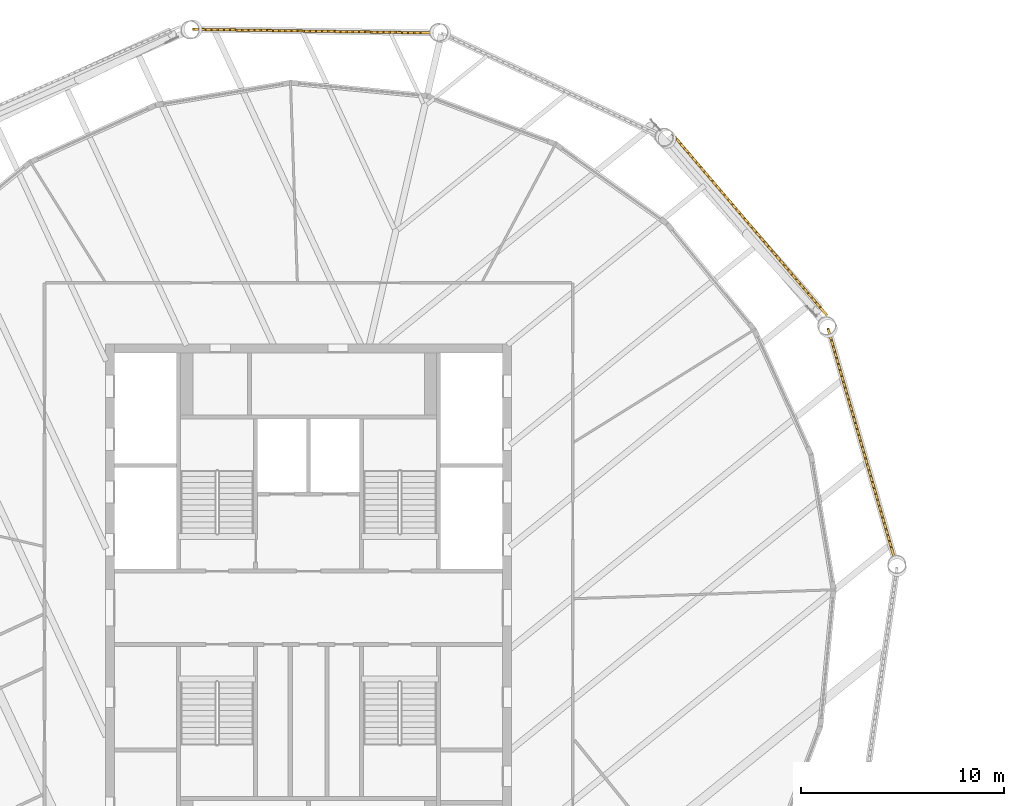
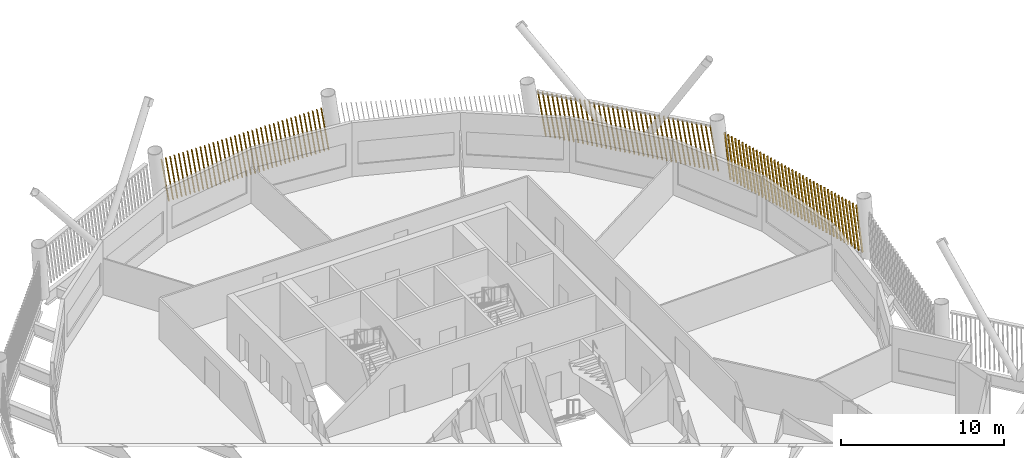
# One storey, part 35 of 36: 3 shading devices.
"""IFC4 building model written with IfcOpenShell, lengths in metres."""

from ifc_helpers import new_model, si_unit, direction, frame, frame_2d, origin, place, context, subcontext, project, spatial, rectangle, composite_profile, extrude, material, type_object, element, save


model = new_model("IFC4")

# Units and contexts
model_context = context("Model", 3, precision=1e-05, world=origin(), true_north=direction((0.0, 1.0)))
body_context = subcontext(model_context, "Body", "Model", "MODEL_VIEW")
ifc_project = project(units=[si_unit("LENGTHUNIT", "METRE"), si_unit("AREAUNIT", "SQUARE_METRE"), si_unit("VOLUMEUNIT", "CUBIC_METRE"), si_unit("PLANEANGLEUNIT", "RADIAN"), si_unit("MASSUNIT", "GRAM", prefix="KILO")], contexts=[model_context])

# Site, building, storey
site_placement = place(None, origin())
site = spatial("IfcSite", under=ifc_project, at=site_placement, CompositionType="ELEMENT")
building_placement = place(site_placement, origin())
building = spatial("IfcBuilding", under=site, at=building_placement, Name="Tarsis Ring Headquarters", CompositionType="ELEMENT")
storey_placement = place(building_placement, frame((0.0, 0.0, 386.0)))
storey = spatial("IfcBuildingStorey", under=building, at=storey_placement, Name="L91", CompositionType="ELEMENT", Elevation=386.0)

# Shading devices
ifc_material = material(Name="Terracotta baguette", Category="masonry")
shading_device_type = type_object("IfcShadingDeviceType", Name="Terracotta baguette screen", PredefinedType="USERDEFINED", material=ifc_material)
shading_device_1_placement = place(storey_placement, frame((28.841552734375, 2.47265625, 0.0), z_axis=(0.0, 0.0, 1.0), x_axis=(-0.277395550733, 0.960759631036, 0.0)))
element("IfcShadingDevice", 1, at=shading_device_1_placement, inside=storey, type_object=shading_device_type, Name="Baguette screen L91-06", ObjectType="Terracotta baguette screen", PredefinedType="USERDEFINED", context=body_context, shape_type="SweptSolid", body=[
    extrude(composite_profile([rectangle(XDim=0.06005859375, YDim=0.1201171875, at=frame_2d((0.030029296875, 0.0))), rectangle(XDim=0.06005859375, YDim=0.1201171875, at=frame_2d((0.33251953125, 0.0))), rectangle(XDim=0.06005859375, YDim=0.1201171875, at=frame_2d((0.634765625, 0.0))), rectangle(XDim=0.06005859375, YDim=0.1201171875, at=frame_2d((0.937255859375, 0.0))), rectangle(XDim=0.06005859375, YDim=0.1201171875, at=frame_2d((1.239501953125, 0.0))), rectangle(XDim=0.06005859375, YDim=0.1201171875, at=frame_2d((1.5419921875, 0.0))), rectangle(XDim=0.06005859375, YDim=0.1201171875, at=frame_2d((1.844482421875, 0.0))), rectangle(XDim=0.06005859375, YDim=0.1201171875, at=frame_2d((2.146728515625, 0.0))), rectangle(XDim=0.06005859375, YDim=0.1201171875, at=frame_2d((2.44921875, 0.0))), rectangle(XDim=0.06005859375, YDim=0.1201171875, at=frame_2d((2.751708984375, 0.0))), rectangle(XDim=0.06005859375, YDim=0.1201171875, at=frame_2d((3.053955078125, 0.0))), rectangle(XDim=0.06005859375, YDim=0.1201171875, at=frame_2d((3.3564453125, 0.0))), rectangle(XDim=0.06005859375, YDim=0.1201171875, at=frame_2d((3.65869140625, 0.0))), rectangle(XDim=0.06005859375, YDim=0.1201171875, at=frame_2d((3.961181640625, 0.0))), rectangle(XDim=0.06005859375, YDim=0.1201171875, at=frame_2d((4.263671875, 0.0))), rectangle(XDim=0.06005859375, YDim=0.1201171875, at=frame_2d((4.56591796875, 0.0))), rectangle(XDim=0.06005859375, YDim=0.1201171875, at=frame_2d((4.868408203125, 0.0))), rectangle(XDim=0.06005859375, YDim=0.1201171875, at=frame_2d((5.1708984375, 0.0))), rectangle(XDim=0.06005859375, YDim=0.1201171875, at=frame_2d((5.47314453125, 0.0))), rectangle(XDim=0.06005859375, YDim=0.1201171875, at=frame_2d((5.775634765625, 0.0))), rectangle(XDim=0.06005859375, YDim=0.1201171875, at=frame_2d((6.077880859375, 0.0))), rectangle(XDim=0.06005859375, YDim=0.1201171875, at=frame_2d((6.38037109375, 0.0))), rectangle(XDim=0.06005859375, YDim=0.1201171875, at=frame_2d((6.682861328125, 0.0))), rectangle(XDim=0.06005859375, YDim=0.1201171875, at=frame_2d((6.985107421875, 0.0))), rectangle(XDim=0.06005859375, YDim=0.1201171875, at=frame_2d((7.28759765625, 0.0))), rectangle(XDim=0.06005859375, YDim=0.1201171875, at=frame_2d((7.590087890625, 0.0))), rectangle(XDim=0.06005859375, YDim=0.1201171875, at=frame_2d((7.892333984375, 0.0))), rectangle(XDim=0.06005859375, YDim=0.1201171875, at=frame_2d((8.19482421875, 0.0))), rectangle(XDim=0.06005859375, YDim=0.1201171875, at=frame_2d((8.4970703125, 0.0))), rectangle(XDim=0.06005859375, YDim=0.1201171875, at=frame_2d((8.799560546875, 0.0))), rectangle(XDim=0.06005859375, YDim=0.1201171875, at=frame_2d((9.10205078125, 0.0))), rectangle(XDim=0.06005859375, YDim=0.1201171875, at=frame_2d((9.404296875, 0.0))), rectangle(XDim=0.06005859375, YDim=0.1201171875, at=frame_2d((9.706787109375, 0.0))), rectangle(XDim=0.06005859375, YDim=0.1201171875, at=frame_2d((10.00927734375, 0.0))), rectangle(XDim=0.06005859375, YDim=0.1201171875, at=frame_2d((10.3115234375, 0.0))), rectangle(XDim=0.06005859375, YDim=0.1201171875, at=frame_2d((10.614013671875, 0.0))), rectangle(XDim=0.06005859375, YDim=0.1201171875, at=frame_2d((10.916259765625, 0.0))), rectangle(XDim=0.06005859375, YDim=0.1201171875, at=frame_2d((11.21875, 0.0)))]), origin(), (0.155203291541, 0.001405879506, 0.987881552514), 3.32080078125),
])
shading_device_2_placement = place(storey_placement, frame((25.54345703125, 14.38427734375, 0.0), z_axis=(0.0, 0.0, 1.0), x_axis=(-0.648724905046, 0.761020075963, 0.0)))
element("IfcShadingDevice", 2, at=shading_device_2_placement, inside=storey, type_object=shading_device_type, Name="Baguette screen L91-07", ObjectType="Terracotta baguette screen", PredefinedType="USERDEFINED", context=body_context, shape_type="SweptSolid", body=[
    extrude(composite_profile([rectangle(XDim=0.06005859375, YDim=0.1201171875, at=frame_2d((0.030029296875, 0.0))), rectangle(XDim=0.06005859375, YDim=0.1201171875, at=frame_2d((0.33251953125, 0.0))), rectangle(XDim=0.06005859375, YDim=0.1201171875, at=frame_2d((0.634765625, 0.0))), rectangle(XDim=0.06005859375, YDim=0.1201171875, at=frame_2d((0.937255859375, 0.0))), rectangle(XDim=0.06005859375, YDim=0.1201171875, at=frame_2d((1.239501953125, 0.0))), rectangle(XDim=0.06005859375, YDim=0.1201171875, at=frame_2d((1.5419921875, 0.0))), rectangle(XDim=0.06005859375, YDim=0.1201171875, at=frame_2d((1.844482421875, 0.0))), rectangle(XDim=0.06005859375, YDim=0.1201171875, at=frame_2d((2.146728515625, 0.0))), rectangle(XDim=0.06005859375, YDim=0.1201171875, at=frame_2d((2.44921875, 0.0))), rectangle(XDim=0.06005859375, YDim=0.1201171875, at=frame_2d((2.751708984375, 0.0))), rectangle(XDim=0.06005859375, YDim=0.1201171875, at=frame_2d((3.053955078125, 0.0))), rectangle(XDim=0.06005859375, YDim=0.1201171875, at=frame_2d((3.3564453125, 0.0))), rectangle(XDim=0.06005859375, YDim=0.1201171875, at=frame_2d((3.65869140625, 0.0))), rectangle(XDim=0.06005859375, YDim=0.1201171875, at=frame_2d((3.961181640625, 0.0))), rectangle(XDim=0.06005859375, YDim=0.1201171875, at=frame_2d((4.263671875, 0.0))), rectangle(XDim=0.06005859375, YDim=0.1201171875, at=frame_2d((4.56591796875, 0.0))), rectangle(XDim=0.06005859375, YDim=0.1201171875, at=frame_2d((4.868408203125, 0.0))), rectangle(XDim=0.06005859375, YDim=0.1201171875, at=frame_2d((5.1708984375, 0.0))), rectangle(XDim=0.06005859375, YDim=0.1201171875, at=frame_2d((5.47314453125, 0.0))), rectangle(XDim=0.06005859375, YDim=0.1201171875, at=frame_2d((5.775634765625, 0.0))), rectangle(XDim=0.06005859375, YDim=0.1201171875, at=frame_2d((6.077880859375, 0.0))), rectangle(XDim=0.06005859375, YDim=0.1201171875, at=frame_2d((6.38037109375, 0.0))), rectangle(XDim=0.06005859375, YDim=0.1201171875, at=frame_2d((6.682861328125, 0.0))), rectangle(XDim=0.06005859375, YDim=0.1201171875, at=frame_2d((6.985107421875, 0.0))), rectangle(XDim=0.06005859375, YDim=0.1201171875, at=frame_2d((7.28759765625, 0.0))), rectangle(XDim=0.06005859375, YDim=0.1201171875, at=frame_2d((7.590087890625, 0.0))), rectangle(XDim=0.06005859375, YDim=0.1201171875, at=frame_2d((7.892333984375, 0.0))), rectangle(XDim=0.06005859375, YDim=0.1201171875, at=frame_2d((8.19482421875, 0.0))), rectangle(XDim=0.06005859375, YDim=0.1201171875, at=frame_2d((8.4970703125, 0.0))), rectangle(XDim=0.06005859375, YDim=0.1201171875, at=frame_2d((8.799560546875, 0.0))), rectangle(XDim=0.06005859375, YDim=0.1201171875, at=frame_2d((9.10205078125, 0.0))), rectangle(XDim=0.06005859375, YDim=0.1201171875, at=frame_2d((9.404296875, 0.0))), rectangle(XDim=0.06005859375, YDim=0.1201171875, at=frame_2d((9.706787109375, 0.0))), rectangle(XDim=0.06005859375, YDim=0.1201171875, at=frame_2d((10.00927734375, 0.0))), rectangle(XDim=0.06005859375, YDim=0.1201171875, at=frame_2d((10.3115234375, 0.0))), rectangle(XDim=0.06005859375, YDim=0.1201171875, at=frame_2d((10.614013671875, 0.0))), rectangle(XDim=0.06005859375, YDim=0.1201171875, at=frame_2d((10.916259765625, 0.0))), rectangle(XDim=0.06005859375, YDim=0.1201171875, at=frame_2d((11.21875, 0.0)))]), origin(), (0.15720176855, 0.001428673504, 0.987565472694), 3.32177734375),
])
shading_device_3_placement = place(storey_placement, frame((6.05419921875, 28.30712890625, 0.0), z_axis=(0.0, 0.0, 1.0), x_axis=(-0.999891481281, 0.015149213239, 0.0)))
element("IfcShadingDevice", 3, at=shading_device_3_placement, inside=storey, type_object=shading_device_type, Name="Baguette screen L91-09", ObjectType="Terracotta baguette screen", PredefinedType="USERDEFINED", context=body_context, shape_type="SweptSolid", body=[
    extrude(composite_profile([rectangle(XDim=0.06005859375, YDim=0.1201171875, at=frame_2d((0.030029296875, 0.0))), rectangle(XDim=0.06005859375, YDim=0.1201171875, at=frame_2d((0.33251953125, 0.0))), rectangle(XDim=0.06005859375, YDim=0.1201171875, at=frame_2d((0.634765625, 0.0))), rectangle(XDim=0.06005859375, YDim=0.1201171875, at=frame_2d((0.937255859375, 0.0))), rectangle(XDim=0.06005859375, YDim=0.1201171875, at=frame_2d((1.239501953125, 0.0))), rectangle(XDim=0.06005859375, YDim=0.1201171875, at=frame_2d((1.5419921875, 0.0))), rectangle(XDim=0.06005859375, YDim=0.1201171875, at=frame_2d((1.844482421875, 0.0))), rectangle(XDim=0.06005859375, YDim=0.1201171875, at=frame_2d((2.146728515625, 0.0))), rectangle(XDim=0.06005859375, YDim=0.1201171875, at=frame_2d((2.44921875, 0.0))), rectangle(XDim=0.06005859375, YDim=0.1201171875, at=frame_2d((2.751708984375, 0.0))), rectangle(XDim=0.06005859375, YDim=0.1201171875, at=frame_2d((3.053955078125, 0.0))), rectangle(XDim=0.06005859375, YDim=0.1201171875, at=frame_2d((3.3564453125, 0.0))), rectangle(XDim=0.06005859375, YDim=0.1201171875, at=frame_2d((3.65869140625, 0.0))), rectangle(XDim=0.06005859375, YDim=0.1201171875, at=frame_2d((3.961181640625, 0.0))), rectangle(XDim=0.06005859375, YDim=0.1201171875, at=frame_2d((4.263671875, 0.0))), rectangle(XDim=0.06005859375, YDim=0.1201171875, at=frame_2d((4.56591796875, 0.0))), rectangle(XDim=0.06005859375, YDim=0.1201171875, at=frame_2d((4.868408203125, 0.0))), rectangle(XDim=0.06005859375, YDim=0.1201171875, at=frame_2d((5.1708984375, 0.0))), rectangle(XDim=0.06005859375, YDim=0.1201171875, at=frame_2d((5.47314453125, 0.0))), rectangle(XDim=0.06005859375, YDim=0.1201171875, at=frame_2d((5.775634765625, 0.0))), rectangle(XDim=0.06005859375, YDim=0.1201171875, at=frame_2d((6.077880859375, 0.0))), rectangle(XDim=0.06005859375, YDim=0.1201171875, at=frame_2d((6.38037109375, 0.0))), rectangle(XDim=0.06005859375, YDim=0.1201171875, at=frame_2d((6.682861328125, 0.0))), rectangle(XDim=0.06005859375, YDim=0.1201171875, at=frame_2d((6.985107421875, 0.0))), rectangle(XDim=0.06005859375, YDim=0.1201171875, at=frame_2d((7.28759765625, 0.0))), rectangle(XDim=0.06005859375, YDim=0.1201171875, at=frame_2d((7.590087890625, 0.0))), rectangle(XDim=0.06005859375, YDim=0.1201171875, at=frame_2d((7.892333984375, 0.0))), rectangle(XDim=0.06005859375, YDim=0.1201171875, at=frame_2d((8.19482421875, 0.0))), rectangle(XDim=0.06005859375, YDim=0.1201171875, at=frame_2d((8.4970703125, 0.0))), rectangle(XDim=0.06005859375, YDim=0.1201171875, at=frame_2d((8.799560546875, 0.0))), rectangle(XDim=0.06005859375, YDim=0.1201171875, at=frame_2d((9.10205078125, 0.0))), rectangle(XDim=0.06005859375, YDim=0.1201171875, at=frame_2d((9.404296875, 0.0))), rectangle(XDim=0.06005859375, YDim=0.1201171875, at=frame_2d((9.706787109375, 0.0))), rectangle(XDim=0.06005859375, YDim=0.1201171875, at=frame_2d((10.00927734375, 0.0))), rectangle(XDim=0.06005859375, YDim=0.1201171875, at=frame_2d((10.3115234375, 0.0))), rectangle(XDim=0.06005859375, YDim=0.1201171875, at=frame_2d((10.614013671875, 0.0))), rectangle(XDim=0.06005859375, YDim=0.1201171875, at=frame_2d((10.916259765625, 0.0))), rectangle(XDim=0.06005859375, YDim=0.1201171875, at=frame_2d((11.21875, 0.0)))]), origin(), (0.155203498431, 0.001406688535, 0.987881518859), 3.32080078125),
])

save(model, "model.ifc")
